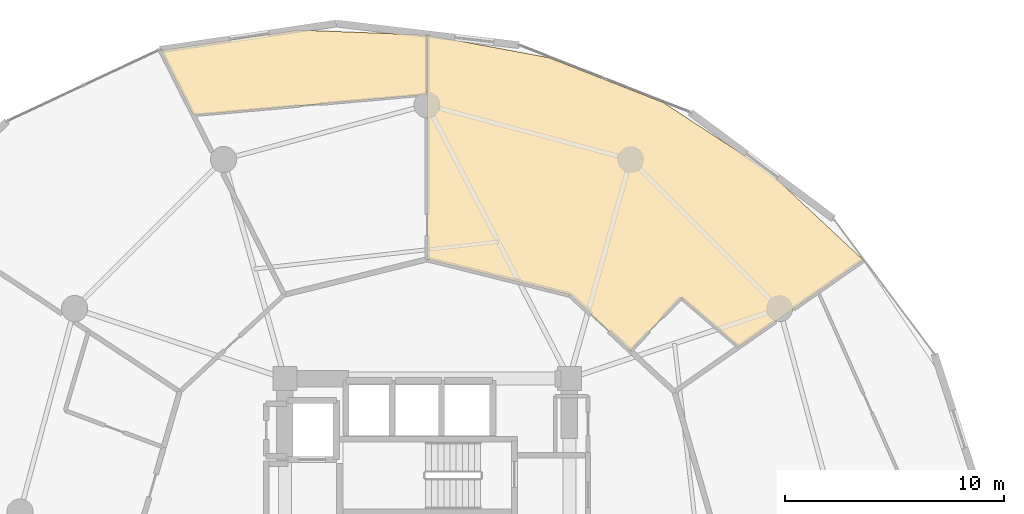
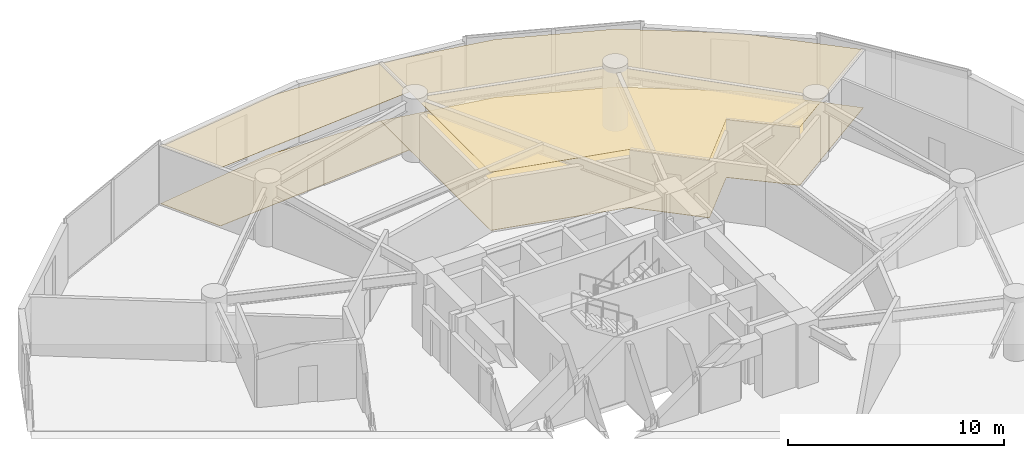
# One storey, part 25 of 25: 4 coverings.
"""IFC4 building model written with IfcOpenShell, lengths in metres."""

from ifc_helpers import new_model, si_unit, direction, frame, origin, place, context, subcontext, project, spatial, polyline, outline, extrude, material, layer, layer_set, type_object, element, save


model = new_model("IFC4")

# Units and contexts
model_context = context("Model", 3, precision=1e-05, world=origin(), true_north=direction((0.0, 1.0)))
body_context = subcontext(model_context, "Body", "Model", "MODEL_VIEW")
ifc_project = project(units=[si_unit("LENGTHUNIT", "METRE"), si_unit("AREAUNIT", "SQUARE_METRE"), si_unit("VOLUMEUNIT", "CUBIC_METRE"), si_unit("PLANEANGLEUNIT", "RADIAN"), si_unit("MASSUNIT", "GRAM", prefix="KILO")], contexts=[model_context])

# Site, building, storey
site_placement = place(None, origin())
site = spatial("IfcSite", under=ifc_project, at=site_placement, CompositionType="ELEMENT")
building_placement = place(site_placement, origin())
building = spatial("IfcBuilding", under=site, at=building_placement, Name="Solvirekh Grand Hotel", CompositionType="ELEMENT")
storey_placement = place(building_placement, frame((0.0, 0.0, 57.199951171875)))
storey = spatial("IfcBuildingStorey", under=building, at=storey_placement, Name="L13", CompositionType="ELEMENT", Elevation=57.199951171875)

# Coverings
ifc_material_1 = material(Name="Acoustic Mineral Ceiling Tile")
ifc_layer_1 = layer(ifc_material_1, 0.02490234375)
ifc_layer_set_1 = layer_set([ifc_layer_1], Name="Acoustic Mineral Ceiling Tile")
covering_type_1 = type_object("IfcCoveringType", Name="Cov_Ceiling_Acoustic", PredefinedType="CEILING", material=ifc_layer_set_1)
covering_1_placement = place(storey_placement, frame((0.0, 0.0, 3.2900390625)))
element("IfcCovering", 1, at=covering_1_placement, inside=storey, type_object=covering_type_1, Name="L13 Diplomatic Suite 1503 Living Room acoustic ceiling", PredefinedType="CEILING", context=body_context, shape_type="SweptSolid", body=[
    extrude(outline(polyline([(11.60888671875, 9.798095703125), (14.238037109375, 7.54296875), (19.93701171875, 11.510009765625), (15.5791015625, 15.5791015625), (10.800048828125, 18.7060546875), (5.56298828125, 20.761962890625), (0.0, 21.7939453125), (0.0, 11.550048828125), (6.52490234375, 9.928955078125), (9.2958984375, 7.360107421875), (11.60888671875, 9.798095703125)])), origin(), (0.0, 0.0, 1.0), 0.01806640625),
])
covering_2_placement = place(storey_placement, frame((0.0, 0.0, 3.2900390625)))
element("IfcCovering", 2, at=covering_2_placement, inside=storey, type_object=covering_type_1, Name="L13 Diplomatic Suite 1503 Master Bedroom acoustic ceiling", PredefinedType="CEILING", context=body_context, shape_type="SweptSolid", body=[
    extrude(outline(polyline([(0.0, 21.7939453125), (-5.90087890625, 22.02392578125), (-12.177978515625, 21.093017578125), (-10.679931640625, 18.135009765625), (0.0, 19.0791015625), (0.0, 21.7939453125)])), origin(), (0.0, 0.0, 1.0), 0.01806640625),
])
ifc_material_2 = material(Name="Porcelain Stoneware Flooring", Category="masonry")
ifc_layer_2 = layer(ifc_material_2, 0.030029296875)
ifc_layer_set_2 = layer_set([ifc_layer_2], Name="Porcelain Stoneware Flooring")
covering_type_2 = type_object("IfcCoveringType", Name="Cov_Floor_Stone", PredefinedType="FLOORING", material=ifc_layer_set_2)
covering_3_placement = place(storey_placement, origin())
element("IfcCovering", 3, at=covering_3_placement, inside=storey, type_object=covering_type_2, Name="L13 Diplomatic Suite 1503 Living Room polished granite flooring", PredefinedType="FLOORING", context=body_context, shape_type="SweptSolid", body=[
    extrude(outline(polyline([(11.60888671875, 9.798095703125), (14.238037109375, 7.54296875), (19.93701171875, 11.510009765625), (15.5791015625, 15.5791015625), (10.800048828125, 18.7060546875), (5.56298828125, 20.761962890625), (0.0, 21.7939453125), (0.0, 11.550048828125), (6.52490234375, 9.928955078125), (9.2958984375, 7.360107421875), (11.60888671875, 9.798095703125)])), origin(), (0.0, 0.0, 1.0), 0.02001953125),
])
covering_4_placement = place(storey_placement, origin())
element("IfcCovering", 4, at=covering_4_placement, inside=storey, type_object=covering_type_2, Name="L13 Diplomatic Suite 1503 Master Bedroom polished granite flooring", PredefinedType="FLOORING", context=body_context, shape_type="SweptSolid", body=[
    extrude(outline(polyline([(0.0, 21.7939453125), (-5.90087890625, 22.02392578125), (-12.177978515625, 21.093017578125), (-10.679931640625, 18.135009765625), (0.0, 19.0791015625), (0.0, 21.7939453125)])), origin(), (0.0, 0.0, 1.0), 0.02001953125),
])

save(model, "model.ifc")
